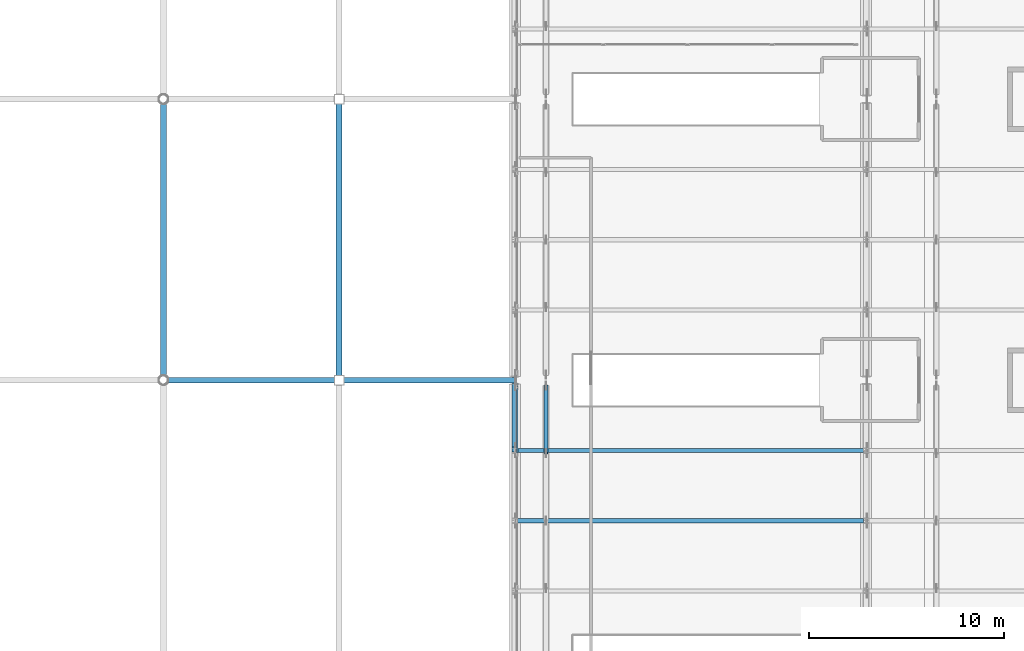
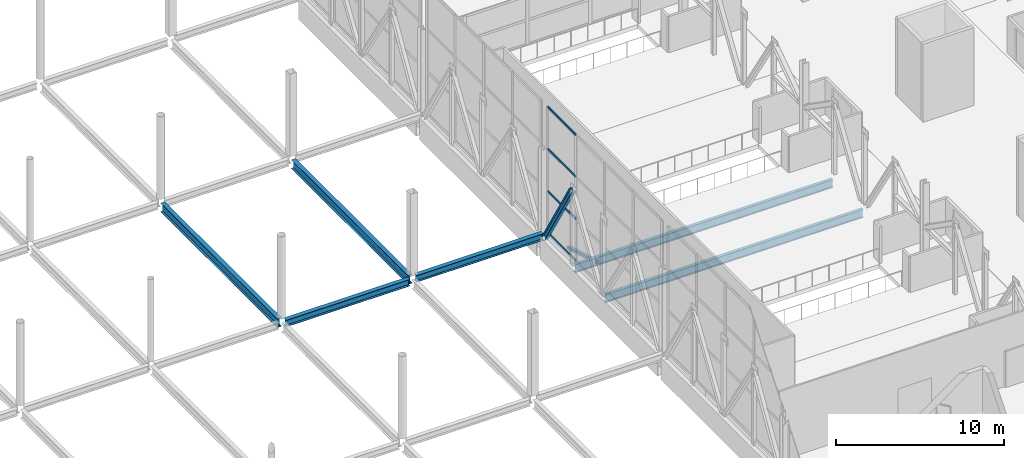
# One storey, part 36 of 191: 6 beams, 6 members, 1 element without a shape of its own.
"""IFC4 building model written with IfcOpenShell, lengths in metres."""

import ifcopenshell
import ifcopenshell.guid

model = None  # the IFC model being written
_history = None  # IfcOwnerHistory: only IFC2X3 demands one
_inside = {}  # id of a spatial element -> (the spatial element, [elements in it])
_under = {}  # id of a project, library or spatial element -> (it, [spatial elements below it])
_declared = {}  # id of a project -> (the project, [libraries it declares])
_typed = {}  # id of a type object -> (the type object, [elements of that type])
_made_of = {}  # id of a material, layer set ... -> (it, [elements and type objects made of it])


def new_model(schema):
    """Start an empty IFC model of exactly this schema.

    Asked for "IFC4X3", IfcOpenShell would pick the latest addendum, in which some entities
    have other attributes; the version numbers below select the first issue.
    IFC2X3 requires an IfcOwnerHistory on every rooted entity: one is made here for all.
    """
    global model, _history
    if schema == "IFC4X3":
        model = ifcopenshell.file(schema_version=(4, 3, 0, 0))
    else:
        model = ifcopenshell.file(schema=schema)
    _inside.clear()
    _under.clear()
    _declared.clear()
    _typed.clear()
    _made_of.clear()
    _history = None
    if model.schema == "IFC2X3":
        org = make("IfcOrganization", Name="unknown")
        user = make(
            "IfcPersonAndOrganization",
            ThePerson=make("IfcPerson", FamilyName="unknown"),
            TheOrganization=org,
        )
        app = make(
            "IfcApplication",
            ApplicationDeveloper=org,
            Version="unknown",
            ApplicationFullName="unknown",
            ApplicationIdentifier="unknown",
        )
        _history = make(
            "IfcOwnerHistory",
            OwningUser=user,
            OwningApplication=app,
            ChangeAction="ADDED",
            CreationDate=0,
        )
    return model


def make(cls, **values):
    """One entity of the class cls with the attributes given. An attribute that is None is left unset."""
    return model.create_entity(
        cls, **{name: value for name, value in values.items() if value is not None}
    )


def rooted(cls, **values):
    """An entity with a GlobalId (a new one), such as an element, a storey or a relation."""
    return make(cls, GlobalId=ifcopenshell.guid.new(), OwnerHistory=_history, **values)


def si_unit(unit_type, name, prefix=None):
    """IfcSIUnit, for example si_unit("LENGTHUNIT", "METRE", prefix="MILLI")."""
    return make("IfcSIUnit", UnitType=unit_type, Prefix=prefix, Name=name)


def assignment(units):
    """IfcUnitAssignment: the units of a project."""
    return None if units is None else make("IfcUnitAssignment", Units=units)


def point(xyz):
    """IfcCartesianPoint."""
    return None if xyz is None else make("IfcCartesianPoint", Coordinates=xyz)


def direction(xyz):
    """IfcDirection."""
    return None if xyz is None else make("IfcDirection", DirectionRatios=xyz)


def frame(location, z_axis=None, x_axis=None):
    """IfcAxis2Placement3D, a coordinate frame: its origin and axes. An axis left out is left unset."""
    return make(
        "IfcAxis2Placement3D",
        Location=point(location),
        Axis=direction(z_axis),
        RefDirection=direction(x_axis),
    )


def frame_2d(location, x_axis=None):
    """IfcAxis2Placement2D, a coordinate frame in the plane: its origin and x axis."""
    return make(
        "IfcAxis2Placement2D", Location=point(location), RefDirection=direction(x_axis)
    )


def origin():
    """The frame at (0, 0, 0) with its axes left unset."""
    return frame((0.0, 0.0, 0.0))


def origin_2d():
    """The frame at (0, 0) in the plane with its x axis left unset."""
    return frame_2d((0.0, 0.0))


def place(relative_to, where):
    """IfcLocalPlacement: puts the frame where relative to a parent placement (None: the world)."""
    return make(
        "IfcLocalPlacement", PlacementRelTo=relative_to, RelativePlacement=where
    )


def context(
    kind, dimensions, precision=None, world=None, true_north=None, identifier=None
):
    """IfcGeometricRepresentationContext, for example the 3D "Model" context."""
    return make(
        "IfcGeometricRepresentationContext",
        ContextIdentifier=identifier,
        ContextType=kind,
        CoordinateSpaceDimension=dimensions,
        Precision=precision,
        WorldCoordinateSystem=world,
        TrueNorth=true_north,
    )


def subcontext(parent, identifier, kind, view, scale=None):
    """IfcGeometricRepresentationSubContext, for example "Body" below "Model"."""
    return make(
        "IfcGeometricRepresentationSubContext",
        ContextIdentifier=identifier,
        ContextType=kind,
        ParentContext=parent,
        TargetScale=scale,
        TargetView=view,
    )


def project(units=None, contexts=None):
    """IfcProject with its units and contexts."""
    return rooted(
        "IfcProject",
        Name="project",
        RepresentationContexts=contexts,
        UnitsInContext=assignment(units),
    )


def spatial(cls, under=None, at=None, **own):
    """A site, building, storey or space (cls), placed at a placement, below another one or the project."""
    s = rooted(cls, ObjectPlacement=at, **own)
    if under is not None:
        _under.setdefault(under.id(), (under, []))[1].append(s)
    return s


def profile(cls, at=None, kind="AREA", **sizes):
    """A parametric profile (cls). Its sizes go by their IFC names, for example OverallWidth=200.0."""
    return make(cls, ProfileType=kind, Position=at, **sizes)


def hollow_rectangle(**sizes):
    """IfcRectangleHollowProfileDef."""
    return profile("IfcRectangleHollowProfileDef", **sizes)


def i_section(**sizes):
    """IfcIShapeProfileDef."""
    return profile("IfcIShapeProfileDef", **sizes)


def extrude(swept, where, along, depth):
    """IfcExtrudedAreaSolid: the profile swept, set in the frame where, extruded along a direction by depth."""
    return make(
        "IfcExtrudedAreaSolid",
        SweptArea=swept,
        Position=where,
        ExtrudedDirection=direction(along),
        Depth=depth,
    )


def shape(context_of_items, identifier, shape_type, items):
    """IfcShapeRepresentation: the items that make up one representation, for example the "Body"."""
    return make(
        "IfcShapeRepresentation",
        ContextOfItems=context_of_items,
        RepresentationIdentifier=identifier,
        RepresentationType=shape_type,
        Items=items,
    )


def material(Name=None, Category=None):
    """IfcMaterial."""
    return make("IfcMaterial", Name=Name, Category=Category)


def layer(
    of_material, thickness, ventilated=None, Name=None, Category=None, Priority=None
):
    """IfcMaterialLayer: one layer of a wall or slab, of a material (None: an air gap)."""
    return make(
        "IfcMaterialLayer",
        Material=of_material,
        LayerThickness=thickness,
        IsVentilated=ventilated,
        Name=Name,
        Category=Category,
        Priority=Priority,
    )


def layer_set(layers, Name=None):
    """IfcMaterialLayerSet."""
    return make("IfcMaterialLayerSet", MaterialLayers=layers, LayerSetName=Name)


def material_profile(
    of_material, cross_section, Name=None, Category=None, Priority=None
):
    """IfcMaterialProfile: a cross section and its material."""
    return make(
        "IfcMaterialProfile",
        Name=Name,
        Material=of_material,
        Profile=cross_section,
        Priority=Priority,
        Category=Category,
    )


def profile_set(profiles, Name=None, composite=None):
    """IfcMaterialProfileSet."""
    return make(
        "IfcMaterialProfileSet",
        Name=Name,
        MaterialProfiles=profiles,
        CompositeProfile=composite,
    )


def made_of(thing, what):
    """Note that an element or type object is made of a material, layer set ...; save() writes the relation."""
    if what is not None:
        _made_of.setdefault(what.id(), (what, []))[1].append(thing)
    return thing


def type_object(cls, material=None, **own):
    """A type object (cls), such as IfcWallType, which elements share."""
    return made_of(rooted(cls, **own), material)


def element(
    cls,
    number,
    at=None,
    inside=None,
    cuts=None,
    type_object=None,
    material=None,
    context=None,
    identifier="Body",
    shape_type=None,
    held_by="IfcProductDefinitionShape",
    body=None,
    shapes=None,
    **own,
):
    """One element of the class cls, such as IfcWall. Its Tag is "e" and its number.

    at: its placement. inside: the storey or other place that contains it. cuts: it is an
    opening in that element (IfcRelVoidsElement). A single representation is given by context,
    identifier, shape_type and body (its items); several are given by shapes. held_by: the class
    of the entity that holds the representations. save() writes the other relations.
    """
    e = rooted(cls, Tag="e%d" % number, ObjectPlacement=at, **own)
    if body is not None:
        shapes = [shape(context, identifier, shape_type, body)]
    if shapes is not None:
        e.Representation = make(held_by, Representations=shapes)
    if inside is not None:
        _inside.setdefault(inside.id(), (inside, []))[1].append(e)
    if cuts is not None:
        rooted(
            "IfcRelVoidsElement", RelatingBuildingElement=cuts, RelatedOpeningElement=e
        )
    if type_object is not None:
        _typed.setdefault(type_object.id(), (type_object, []))[1].append(e)
    return made_of(e, material)


def aggregate(whole, parts):
    """IfcRelAggregates: a whole, such as a stair, and the parts it consists of."""
    return rooted("IfcRelAggregates", RelatingObject=whole, RelatedObjects=parts)


def save(model, path):
    """Write the relations noted so far, then the file.

    IfcRelAggregates (storeys below a building ...), IfcRelContainedInSpatialStructure (elements
    in a storey), IfcRelDefinesByType, IfcRelAssociatesMaterial and IfcRelDeclares: one each for
    every whole, place, type object, material and project.
    """
    for whole, parts in _under.values():
        aggregate(whole, parts)
    for where, things in _inside.values():
        rooted(
            "IfcRelContainedInSpatialStructure",
            RelatedElements=things,
            RelatingStructure=where,
        )
    for kind, things in _typed.values():
        rooted("IfcRelDefinesByType", RelatedObjects=things, RelatingType=kind)
    for what, things in _made_of.values():
        rooted("IfcRelAssociatesMaterial", RelatedObjects=things, RelatingMaterial=what)
    for by, libraries in _declared.values():
        rooted("IfcRelDeclares", RelatingContext=by, RelatedDefinitions=libraries)
    model.write(path)


model = new_model("IFC4")

# Units and contexts
model_context = context("Model", 3, precision=1e-05, world=origin(), true_north=direction((0.0, 1.0)))
body_context = subcontext(model_context, "Body", "Model", "MODEL_VIEW")
ifc_project = project(units=[si_unit("LENGTHUNIT", "METRE"), si_unit("AREAUNIT", "SQUARE_METRE"), si_unit("VOLUMEUNIT", "CUBIC_METRE"), si_unit("PLANEANGLEUNIT", "RADIAN"), si_unit("MASSUNIT", "GRAM", prefix="KILO")], contexts=[model_context])

# Site, building, storey
site_placement = place(None, origin())
site = spatial("IfcSite", under=ifc_project, at=site_placement, CompositionType="ELEMENT")
building_placement = place(site_placement, origin())
building = spatial("IfcBuilding", under=site, at=building_placement, Name="Tamarisk Ironworks Central Station", CompositionType="ELEMENT")
storey_placement = place(building_placement, frame((0.0, 0.0, 6.60009765625)))
storey = spatial("IfcBuildingStorey", under=building, at=storey_placement, Name="L01", CompositionType="ELEMENT", Elevation=6.60009765625)

# Beams
ifc_material_1 = material(Name="Structural steel S355J2", Category="steel")
ifc_material_profile_1 = material_profile(ifc_material_1, i_section(OverallWidth=0.219970703125, OverallDepth=0.60009765625, WebThickness=0.011962890625, FlangeThickness=0.01904296875, at=origin_2d()), Name="IPE 600")
ifc_profile_set_1 = profile_set([ifc_material_profile_1], Name="Structural steel S355J2")
beam_type_1 = type_object("IfcBeamType", Name="BM-B01", PredefinedType="BEAM", material=ifc_profile_set_1)
for number, where, z_axis, x_axis, name in (
    (1, (54.135009765625, 43.199951171875, -0.60009765625), (1.0, 0.0, 0.0), (0.0, 1.0, 0.0), "L01 secondary composite beam 0005"),
    (2, (54.135009765625, 46.800048828125, -0.60009765625), (1.0, 0.0, 0.0), (0.0, 1.0, 0.0), "L01 secondary composite beam 0006"),
):
    element("IfcBeam", number, at=place(storey_placement, frame(where, z_axis=z_axis, x_axis=x_axis)), inside=storey, type_object=beam_type_1, Name=name, PredefinedType="BEAM", context=body_context, shape_type="SweptSolid", body=[
        extrude(i_section(OverallWidth=0.219970703125, OverallDepth=0.60009765625, WebThickness=0.011962890625, FlangeThickness=0.01904296875, at=origin_2d()), origin(), (0.0, 0.0, 1.0), 17.72998046875),
    ])
ifc_material_profile_2 = material_profile(ifc_material_1, i_section(OverallWidth=0.300048828125, OverallDepth=0.639892578125, WebThickness=0.013427734375, FlangeThickness=0.02587890625, at=origin_2d()), Name="HEA 650")
ifc_profile_set_2 = profile_set([ifc_material_profile_2], Name="Structural steel S355J2")
beam_type_2 = type_object("IfcBeamType", Name="BM-G02", PredefinedType="BEAM", material=ifc_profile_set_2)
beam_1_placement = place(storey_placement, frame((36.0, 50.64208984375, -0.570068359375), z_axis=(0.0, 1.0, 0.0), x_axis=(-1.0, 0.0, 0.0)))
element("IfcBeam", 3, at=beam_1_placement, inside=storey, type_object=beam_type_2, Name="L01 primary girder Y-0191", PredefinedType="BEAM", context=body_context, shape_type="SweptSolid", body=[
    extrude(i_section(OverallWidth=0.300048828125, OverallDepth=0.639892578125, WebThickness=0.013427734375, FlangeThickness=0.02587890625, at=origin_2d()), origin(), (0.0, 0.0, 1.0), 13.916015625),
])
beam_2_placement = place(storey_placement, frame((45.0, 50.637939453125, -0.570068359375), z_axis=(0.0, 1.0, 0.0), x_axis=(-1.0, 0.0, 0.0)))
element("IfcBeam", 4, at=beam_2_placement, inside=storey, type_object=beam_type_2, Name="L01 primary girder Y-0200", PredefinedType="BEAM", context=body_context, shape_type="SweptSolid", body=[
    extrude(i_section(OverallWidth=0.300048828125, OverallDepth=0.639892578125, WebThickness=0.013427734375, FlangeThickness=0.02587890625, at=origin_2d()), origin(), (0.0, 0.0, 1.0), 13.924072265625),
])
ifc_material_profile_3 = material_profile(ifc_material_1, i_section(OverallWidth=0.300048828125, OverallDepth=0.489990234375, WebThickness=0.011962890625, FlangeThickness=0.02294921875, at=origin_2d()), Name="HEA 500")
ifc_profile_set_3 = profile_set([ifc_material_profile_3], Name="Structural steel S355J2")
beam_type_3 = type_object("IfcBeamType", Name="BM-G05", PredefinedType="BEAM", material=ifc_profile_set_3)
beam_3_placement = place(storey_placement, frame((36.241943359375, 50.39990234375, -0.4951171875), z_axis=(1.0, 0.0, 0.0), x_axis=(0.0, 1.0, 0.0)))
element("IfcBeam", 5, at=beam_3_placement, inside=storey, type_object=beam_type_3, Name="L01 primary girder X-0058", PredefinedType="BEAM", context=body_context, shape_type="SweptSolid", body=[
    extrude(i_section(OverallWidth=0.300048828125, OverallDepth=0.489990234375, WebThickness=0.011962890625, FlangeThickness=0.02294921875, at=origin_2d()), origin(), (0.0, 0.0, 1.0), 8.52001953125),
])
beam_4_placement = place(storey_placement, frame((45.238037109375, 50.39990234375, -0.385009765625), z_axis=(1.0, 0.0, 0.0), x_axis=(0.0, 1.0, 0.0)))
element("IfcBeam", 6, at=beam_4_placement, inside=storey, type_object=beam_type_3, Name="L01 primary girder X-0059", PredefinedType="BEAM", context=body_context, shape_type="SweptSolid", body=[
    extrude(i_section(OverallWidth=0.300048828125, OverallDepth=0.489990234375, WebThickness=0.011962890625, FlangeThickness=0.02294921875, at=origin_2d()), origin(), (0.0, 0.0, 1.0), 8.758056640625),
])

# Curtain wall, members
ifc_material_2 = material(Name="Anodized aluminium alloy 6063-T6", Category="aluminium")
ifc_layer = layer(ifc_material_2, 0.179931640625)
ifc_layer_set = layer_set([ifc_layer], Name="Anodized aluminium alloy 6063-T6")
curtain_wall_type = type_object("IfcCurtainWallType", Name="CW-06", PredefinedType="USERDEFINED", material=ifc_layer_set)
curtain_wall_placement = place(storey_placement, origin())
curtain_wall = element("IfcCurtainWall", 7, at=curtain_wall_placement, inside=storey, type_object=curtain_wall_type, Name="Concourse W track-overlook curtain wall 03", ObjectType="GLAZED CURTAIN WALL", PredefinedType="USERDEFINED")
ifc_material_profile_4 = material_profile(ifc_material_2, hollow_rectangle(XDim=0.074951171875, YDim=0.159912109375, WallThickness=0.00390625, at=origin_2d()), Name="ALUM 160x75")
ifc_profile_set_4 = profile_set([ifc_material_profile_4], Name="Anodized aluminium alloy 6063-T6")
member_type_1 = type_object("IfcMemberType", Name="CWT-01", PredefinedType="USERDEFINED", material=ifc_profile_set_4)
member_1_placement = place(storey_placement, frame((54.1201171875, 46.658447265625, 0.037353515625), z_axis=(0.0, 1.0, 0.0), x_axis=(-1.0, 0.0, 0.0)))
member_1 = element("IfcMember", 8, at=member_1_placement, type_object=member_type_1, Name="CW06 transom 4.1", ObjectType="TRANSOM", PredefinedType="USERDEFINED", context=body_context, shape_type="SweptSolid", body=[
    extrude(hollow_rectangle(XDim=0.074951171875, YDim=0.159912109375, WallThickness=0.00390625, at=origin_2d()), origin(), (0.0, 0.0, 1.0), 3.320556640625),
])
member_2_placement = place(storey_placement, frame((54.1201171875, 46.658447265625, 3.0732421875), z_axis=(0.0, 1.0, 0.0), x_axis=(-1.0, 0.0, 0.0)))
member_2 = element("IfcMember", 9, at=member_2_placement, type_object=member_type_1, Name="CW06 transom 4.2", ObjectType="TRANSOM", PredefinedType="USERDEFINED", context=body_context, shape_type="SweptSolid", body=[
    extrude(hollow_rectangle(XDim=0.074951171875, YDim=0.159912109375, WallThickness=0.00390625, at=origin_2d()), origin(), (0.0, 0.0, 1.0), 3.320556640625),
])
member_3_placement = place(storey_placement, frame((54.1201171875, 46.658447265625, 6.146484375), z_axis=(0.0, 1.0, 0.0), x_axis=(-1.0, 0.0, 0.0)))
member_3 = element("IfcMember", 10, at=member_3_placement, type_object=member_type_1, Name="CW06 transom 4.3", ObjectType="TRANSOM", PredefinedType="USERDEFINED", context=body_context, shape_type="SweptSolid", body=[
    extrude(hollow_rectangle(XDim=0.074951171875, YDim=0.159912109375, WallThickness=0.00390625, at=origin_2d()), origin(), (0.0, 0.0, 1.0), 3.320556640625),
])
member_4_placement = place(storey_placement, frame((54.1201171875, 46.658447265625, 9.182373046875), z_axis=(0.0, 1.0, 0.0), x_axis=(-1.0, 0.0, 0.0)))
member_4 = element("IfcMember", 11, at=member_4_placement, type_object=member_type_1, Name="CW06 transom 4.4", ObjectType="TRANSOM", PredefinedType="USERDEFINED", context=body_context, shape_type="SweptSolid", body=[
    extrude(hollow_rectangle(XDim=0.074951171875, YDim=0.159912109375, WallThickness=0.00390625, at=origin_2d()), origin(), (0.0, 0.0, 1.0), 3.320556640625),
])
aggregate(curtain_wall, [member_1, member_2, member_3, member_4])

# Members
ifc_material_3 = material(Name="Structural steel S355J2H", Category="steel")
ifc_material_profile_5 = material_profile(ifc_material_3, hollow_rectangle(XDim=0.199951171875, YDim=0.199951171875, WallThickness=0.010009765625, at=origin_2d()), Name="SHS 200x200x10")
ifc_profile_set_5 = profile_set([ifc_material_profile_5], Name="Structural steel S355J2H")
member_type_2 = type_object("IfcMemberType", Name="MB-BR02", PredefinedType="BRACE", material=ifc_profile_set_5)
member_5_placement = place(storey_placement, frame((55.60009765625, 46.659912109375, -0.580078125), z_axis=(0.0, 0.956137121505, -0.29291945118), x_axis=(-1.0, 0.0, 0.0)))
element("IfcMember", 12, at=member_5_placement, inside=storey, type_object=member_type_2, Name="Bridge deck stiffening web brace 124", PredefinedType="BRACE", context=body_context, shape_type="SweptSolid", body=[
    extrude(hollow_rectangle(XDim=0.199951171875, YDim=0.199951171875, WallThickness=0.010009765625, at=origin_2d()), origin(), (0.0, 0.0, 1.0), 3.618896484375),
])
ifc_material_profile_6 = material_profile(ifc_material_1, i_section(OverallWidth=0.300048828125, OverallDepth=0.340087890625, WebThickness=0.011962890625, FlangeThickness=0.021484375, at=origin_2d()), Name="HEB 340")
ifc_profile_set_6 = profile_set([ifc_material_profile_6], Name="Structural steel S355J2")
member_type_3 = type_object("IfcMemberType", Name="MB-TTD01", PredefinedType="BRACE", material=ifc_profile_set_6)
member_6_placement = place(storey_placement, frame((54.0, 46.840087890625, 5.119873046875), z_axis=(0.0, 0.512200847378, -0.858865700762), x_axis=(-1.0, 0.0, 0.0)))
element("IfcMember", 13, at=member_6_placement, inside=storey, type_object=member_type_3, Name="Transfer truss diagonal 013", PredefinedType="BRACE", context=body_context, shape_type="SweptSolid", body=[
    extrude(i_section(OverallWidth=0.300048828125, OverallDepth=0.340087890625, WebThickness=0.011962890625, FlangeThickness=0.021484375, at=origin_2d()), origin(), (0.0, 0.0, 1.0), 6.40380859375),
])

save(model, "model.ifc")
